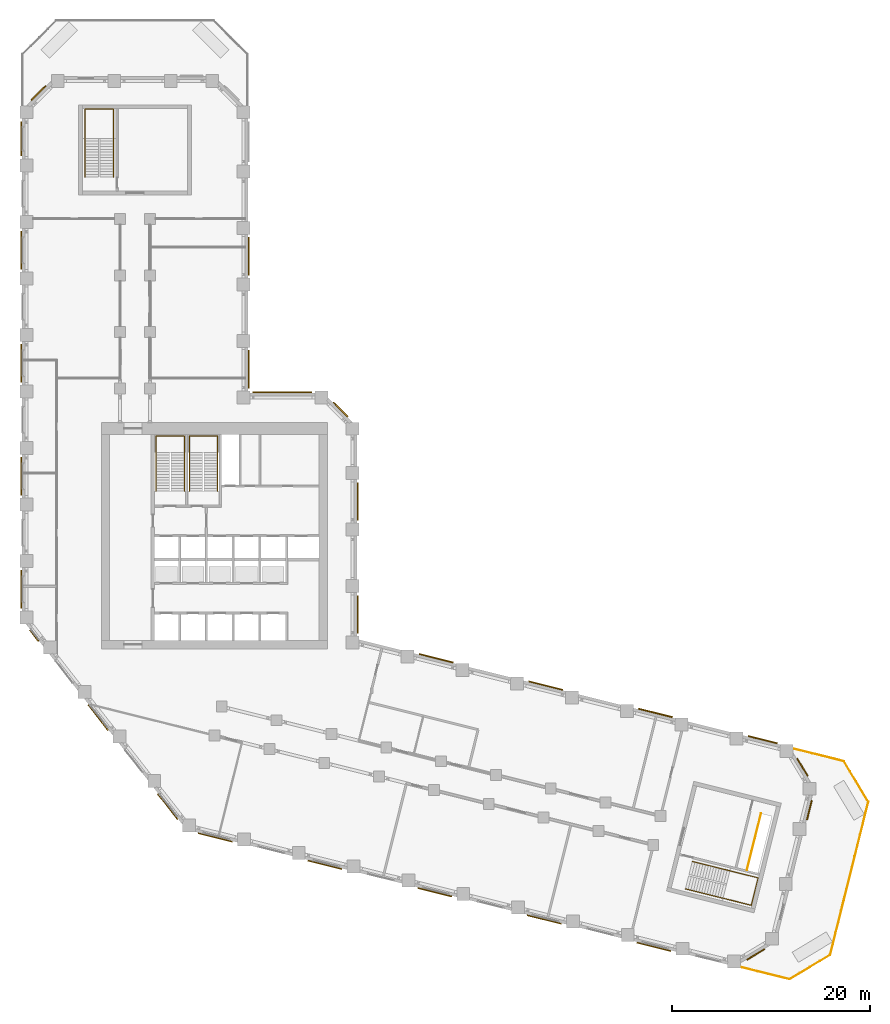
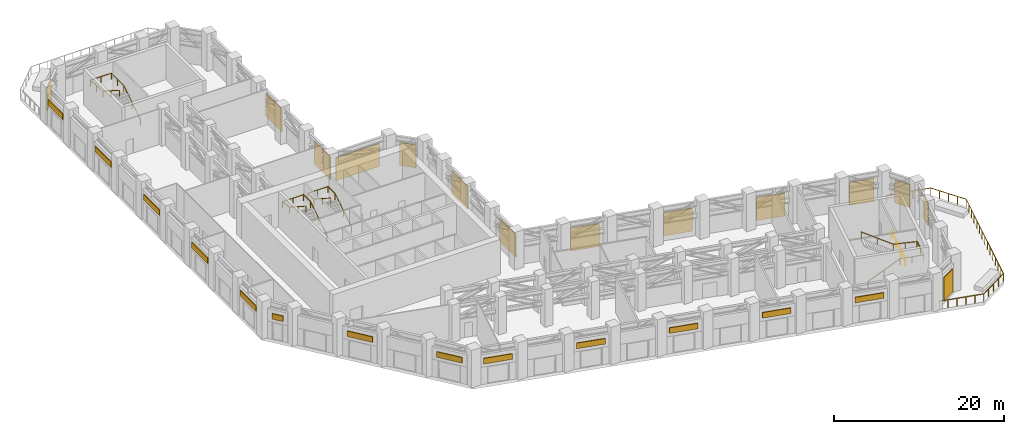
# One storey, part 19 of 21: 27 shading devices, 6 railings.
"""IFC4 building model written with IfcOpenShell, lengths in metres."""

from ifc_helpers import new_model, si_unit, direction, frame, origin, origin_2d, place, context, subcontext, project, spatial, rectangle, circle, extrude, material, layer, layer_set, type_object, element, save


model = new_model("IFC4")

# Units and contexts
model_context = context("Model", 3, precision=1e-05, world=origin(), true_north=direction((0.0, 1.0)))
body_context = subcontext(model_context, "Body", "Model", "MODEL_VIEW")
ifc_project = project(units=[si_unit("LENGTHUNIT", "METRE"), si_unit("AREAUNIT", "SQUARE_METRE"), si_unit("VOLUMEUNIT", "CUBIC_METRE"), si_unit("PLANEANGLEUNIT", "RADIAN"), si_unit("MASSUNIT", "GRAM", prefix="KILO")], contexts=[model_context])

# Site, building, storey
site_placement = place(None, origin())
site = spatial("IfcSite", under=ifc_project, at=site_placement, CompositionType="ELEMENT")
building_placement = place(site_placement, origin())
building = spatial("IfcBuilding", under=site, at=building_placement, Name="Meshkara Civic Tower", CompositionType="ELEMENT")
storey_placement = place(building_placement, frame((0.0, 0.0, 156.0)))
storey = spatial("IfcBuildingStorey", under=building, at=storey_placement, Name="L35", CompositionType="ELEMENT", Elevation=156.0)

# Shading devices
ifc_material_1 = material(Name="Bronze anodised aluminium louvre blades", Category="aluminium")
ifc_layer = layer(ifc_material_1, 0.1201171875)
ifc_layer_set = layer_set([ifc_layer], Name="PLANT LOUVRE BANK")
shading_device_type = type_object("IfcShadingDeviceType", Name="PLANT LOUVRE BANK", PredefinedType="USERDEFINED", material=ifc_layer_set)
shading_device_1_placement = place(storey_placement, frame((74.718017578125, 4.929931640625, 0.5), z_axis=(0.0, 0.0, 1.0), x_axis=(-0.970291503795, 0.241938830418, 0.0)))
element("IfcShadingDevice", 1, at=shading_device_1_placement, inside=storey, type_object=shading_device_type, Name="Louvre bank", ObjectType="LOUVRE", PredefinedType="USERDEFINED", context=body_context, shape_type="SweptSolid", body=[
    extrude(rectangle(XDim=3.0390625, YDim=0.1201171875, at=origin_2d()), origin(), (0.0, 0.0, 1.0), 3.300048828125),
])
for number, where, z_axis, x_axis, name in (
    (2, (63.89208984375, 7.6298828125, 0.5), (0.0, 0.0, 1.0), (-0.970291503795, 0.241938830418, 0.0), "Louvre bank"),
    (3, (52.8310546875, 10.387939453125, 0.5), (0.0, 0.0, 1.0), (-0.970291503795, 0.241938830418, 0.0), "Louvre bank"),
):
    element("IfcShadingDevice", number, at=place(storey_placement, frame(where, z_axis=z_axis, x_axis=x_axis)), inside=storey, type_object=shading_device_type, Name=name, ObjectType="LOUVRE", PredefinedType="USERDEFINED", context=body_context, shape_type="SweptSolid", body=[
        extrude(rectangle(XDim=3.52392578125, YDim=0.1201171875, at=origin_2d()), origin(), (0.0, 0.0, 1.0), 3.300048828125),
    ])
shading_device_2_placement = place(storey_placement, frame((41.76904296875, 13.14599609375, 0.5), z_axis=(0.0, 0.0, 1.0), x_axis=(-0.970291503795, 0.241938830418, 0.0)))
element("IfcShadingDevice", 4, at=shading_device_2_placement, inside=storey, type_object=shading_device_type, Name="Louvre bank", ObjectType="LOUVRE", PredefinedType="USERDEFINED", context=body_context, shape_type="SweptSolid", body=[
    extrude(rectangle(XDim=3.52294921875, YDim=0.1201171875, at=origin_2d()), origin(), (0.0, 0.0, 1.0), 3.300048828125),
])
for number, where, z_axis, x_axis, name in (
    (5, (33.860107421875, 17.569091796875, 0.5), (0.0, 0.0, 1.0), (0.0, 1.0, 0.0), "Louvre bank"),
    (6, (33.860107421875, 28.968994140625, 0.5), (0.0, 0.0, 1.0), (0.0, 1.0, 0.0), "Louvre bank"),
):
    element("IfcShadingDevice", number, at=place(storey_placement, frame(where, z_axis=z_axis, x_axis=x_axis)), inside=storey, type_object=shading_device_type, Name=name, ObjectType="LOUVRE", PredefinedType="USERDEFINED", context=body_context, shape_type="SweptSolid", body=[
        extrude(rectangle(XDim=3.800048828125, YDim=0.1201171875, at=origin_2d()), origin(), (0.0, 0.0, 1.0), 3.300048828125),
    ])
shading_device_3_placement = place(storey_placement, frame((32.132080078125, 38.23193359375, 0.5), z_axis=(0.0, 0.0, 1.0), x_axis=(-0.707106781187, 0.707106781187, 0.0)))
element("IfcShadingDevice", 7, at=shading_device_3_placement, inside=storey, type_object=shading_device_type, Name="Louvre bank", ObjectType="LOUVRE", PredefinedType="USERDEFINED", context=body_context, shape_type="SweptSolid", body=[
    extrude(rectangle(XDim=2.02490234375, YDim=0.1201171875, at=origin_2d()), origin(), (0.0, 0.0, 1.0), 3.300048828125),
])
shading_device_4_placement = place(storey_placement, frame((26.27197265625, 39.9599609375, 0.5), z_axis=(0.0, 0.0, 1.0), x_axis=(-1.0, 0.0, 0.0)))
element("IfcShadingDevice", 8, at=shading_device_4_placement, inside=storey, type_object=shading_device_type, Name="Louvre bank", ObjectType="LOUVRE", PredefinedType="USERDEFINED", context=body_context, shape_type="SweptSolid", body=[
    extrude(rectangle(XDim=5.944091796875, YDim=0.1201171875, at=origin_2d()), origin(), (0.0, 0.0, 1.0), 3.300048828125),
])
for number, where, z_axis, x_axis, name in (
    (9, (22.860107421875, 42.300048828125, 0.5), (0.0, 0.0, 1.0), (0.0, 1.0, 0.0), "Louvre bank"),
    (10, (22.860107421875, 53.699951171875, 0.5), (0.0, 0.0, 1.0), (0.0, 1.0, 0.0), "Louvre bank"),
):
    element("IfcShadingDevice", number, at=place(storey_placement, frame(where, z_axis=z_axis, x_axis=x_axis)), inside=storey, type_object=shading_device_type, Name=name, ObjectType="LOUVRE", PredefinedType="USERDEFINED", context=body_context, shape_type="SweptSolid", body=[
        extrude(rectangle(XDim=3.800048828125, YDim=0.1201171875, at=origin_2d()), origin(), (0.0, 0.0, 1.0), 3.300048828125),
    ])
shading_device_5_placement = place(storey_placement, frame((1.66796875, 70.152099609375, 0.5), z_axis=(0.0, 0.0, 1.0), x_axis=(-0.707106781187, -0.707106781187, 0.0)))
element("IfcShadingDevice", 11, at=shading_device_5_placement, inside=storey, type_object=shading_device_type, Name="Louvre bank", ObjectType="LOUVRE", PredefinedType="USERDEFINED", context=body_context, shape_type="SweptSolid", body=[
    extrude(rectangle(XDim=2.02490234375, YDim=0.1201171875, at=origin_2d()), origin(), (0.0, 0.0, 1.0), 3.300048828125),
])
shading_device_6_placement = place(storey_placement, frame((-0.06005859375, 65.533935546875, 3.0), z_axis=(0.0, 0.0, 1.0), x_axis=(0.0, -1.0, 0.0)))
element("IfcShadingDevice", 12, at=shading_device_6_placement, inside=storey, type_object=shading_device_type, Name="Louvre bank", ObjectType="LOUVRE", PredefinedType="USERDEFINED", context=body_context, shape_type="SweptSolid", body=[
    extrude(rectangle(XDim=3.458984375, YDim=0.1201171875, at=origin_2d()), origin(), (0.0, 0.0, 1.0), 0.800048828125),
])
for number, where, z_axis, x_axis, name in (
    (13, (-0.06005859375, 54.304931640625, 3.0), (0.0, 0.0, 1.0), (0.0, -1.0, 0.0), "Louvre bank"),
    (14, (-0.06005859375, 42.905029296875, 3.0), (0.0, 0.0, 1.0), (0.0, -1.0, 0.0), "Louvre bank"),
    (15, (-0.06005859375, 31.5048828125, 3.0), (0.0, 0.0, 1.0), (0.0, -1.0, 0.0), "Louvre bank"),
    (16, (-0.06005859375, 20.10498046875, 3.0), (0.0, 0.0, 1.0), (0.0, -1.0, 0.0), "Louvre bank"),
):
    element("IfcShadingDevice", number, at=place(storey_placement, frame(where, z_axis=z_axis, x_axis=x_axis)), inside=storey, type_object=shading_device_type, Name=name, ObjectType="LOUVRE", PredefinedType="USERDEFINED", context=body_context, shape_type="SweptSolid", body=[
        extrude(rectangle(XDim=3.800048828125, YDim=0.1201171875, at=origin_2d()), origin(), (0.0, 0.0, 1.0), 0.800048828125),
    ])
shading_device_7_placement = place(storey_placement, frame((1.22998046875, 15.427978515625, 3.0), z_axis=(0.0, 0.0, 1.0), x_axis=(0.615661475326, -0.788010753607, 0.0)))
element("IfcShadingDevice", 17, at=shading_device_7_placement, inside=storey, type_object=shading_device_type, Name="Louvre bank", ObjectType="LOUVRE", PredefinedType="USERDEFINED", context=body_context, shape_type="SweptSolid", body=[
    extrude(rectangle(XDim=1.4150390625, YDim=0.1201171875, at=origin_2d()), origin(), (0.0, 0.0, 1.0), 0.800048828125),
])
shading_device_8_placement = place(storey_placement, frame((7.676025390625, 7.177001953125, 3.0), z_axis=(0.0, 0.0, 1.0), x_axis=(0.615661475326, -0.788010753607, 0.0)))
element("IfcShadingDevice", 18, at=shading_device_8_placement, inside=storey, type_object=shading_device_type, Name="Louvre bank", ObjectType="LOUVRE", PredefinedType="USERDEFINED", context=body_context, shape_type="SweptSolid", body=[
    extrude(rectangle(XDim=3.27587890625, YDim=0.1201171875, at=origin_2d()), origin(), (0.0, 0.0, 1.0), 0.800048828125),
])
shading_device_9_placement = place(storey_placement, frame((14.695068359375, -1.805908203125, 3.0), z_axis=(0.0, 0.0, 1.0), x_axis=(0.615661475326, -0.788010753607, 0.0)))
element("IfcShadingDevice", 19, at=shading_device_9_placement, inside=storey, type_object=shading_device_type, Name="Louvre bank", ObjectType="LOUVRE", PredefinedType="USERDEFINED", context=body_context, shape_type="SweptSolid", body=[
    extrude(rectangle(XDim=3.27490234375, YDim=0.1201171875, at=origin_2d()), origin(), (0.0, 0.0, 1.0), 0.800048828125),
])
for number, where, z_axis, x_axis, name in (
    (20, (19.492919921875, -4.922119140625, 3.0), (0.0, 0.0, 1.0), (0.970299948462, -0.241904960708, 0.0), "Louvre bank"),
    (21, (30.553955078125, -7.679931640625, 3.0), (0.0, 0.0, 1.0), (0.970299948462, -0.241904960708, 0.0), "Louvre bank"),
    (22, (41.615966796875, -10.43798828125, 3.0), (0.0, 0.0, 1.0), (0.970299948462, -0.241904960708, 0.0), "Louvre bank"),
    (23, (52.677001953125, -13.195068359375, 3.0), (0.0, 0.0, 1.0), (0.970299948462, -0.241904960708, 0.0), "Louvre bank"),
):
    element("IfcShadingDevice", number, at=place(storey_placement, frame(where, z_axis=z_axis, x_axis=x_axis)), inside=storey, type_object=shading_device_type, Name=name, ObjectType="LOUVRE", PredefinedType="USERDEFINED", context=body_context, shape_type="SweptSolid", body=[
        extrude(rectangle(XDim=3.52392578125, YDim=0.1201171875, at=origin_2d()), origin(), (0.0, 0.0, 1.0), 0.800048828125),
    ])
shading_device_10_placement = place(storey_placement, frame((63.739013671875, -15.952880859375, 3.0), z_axis=(0.0, 0.0, 1.0), x_axis=(0.970299948462, -0.241904960708, 0.0)))
element("IfcShadingDevice", 24, at=shading_device_10_placement, inside=storey, type_object=shading_device_type, Name="Louvre bank", ObjectType="LOUVRE", PredefinedType="USERDEFINED", context=body_context, shape_type="SweptSolid", body=[
    extrude(rectangle(XDim=3.52294921875, YDim=0.1201171875, at=origin_2d()), origin(), (0.0, 0.0, 1.0), 0.800048828125),
])
shading_device_11_placement = place(storey_placement, frame((74.0029296875, -16.73193359375, 0.5), z_axis=(0.0, 0.0, 1.0), x_axis=(0.8571852784, 0.515008153813, 0.0)))
element("IfcShadingDevice", 25, at=shading_device_11_placement, inside=storey, type_object=shading_device_type, Name="Louvre bank", ObjectType="LOUVRE", PredefinedType="USERDEFINED", context=body_context, shape_type="SweptSolid", body=[
    extrude(rectangle(XDim=2.080078125, YDim=0.1201171875, at=origin_2d()), origin(), (0.0, 0.0, 1.0), 3.300048828125),
])
shading_device_12_placement = place(storey_placement, frame((79.4130859375, -2.176025390625, 0.5), z_axis=(0.0, 0.0, 1.0), x_axis=(0.2419218956, 0.970295726276, 0.0)))
element("IfcShadingDevice", 26, at=shading_device_12_placement, inside=storey, type_object=shading_device_type, Name="Louvre bank", ObjectType="LOUVRE", PredefinedType="USERDEFINED", context=body_context, shape_type="SweptSolid", body=[
    extrude(rectangle(XDim=2.011962890625, YDim=0.1201171875, at=origin_2d()), origin(), (0.0, 0.0, 1.0), 3.300048828125),
])
shading_device_13_placement = place(storey_placement, frame((78.7119140625, 2.154052734375, 0.5), z_axis=(0.0, 0.0, 1.0), x_axis=(-0.515097915221, 0.857131342173, 0.0)))
element("IfcShadingDevice", 27, at=shading_device_13_placement, inside=storey, type_object=shading_device_type, Name="Louvre bank", ObjectType="LOUVRE", PredefinedType="USERDEFINED", context=body_context, shape_type="SweptSolid", body=[
    extrude(rectangle(XDim=2.0791015625, YDim=0.1201171875, at=origin_2d()), origin(), (0.0, 0.0, 1.0), 3.300048828125),
])

# Railings
ifc_material_2 = material(Name="Steel guard", Category="steel")
railing_type_1 = type_object("IfcRailingType", Name="Stair guard 1100", PredefinedType="GUARDRAIL", material=ifc_material_2)
railing_1_placement = place(storey_placement, frame((73.110107421875, -8.23095703125, 0.0)))
element("IfcRailing", 28, at=railing_1_placement, inside=storey, type_object=railing_type_1, Name="L35 ESBT well guard", PredefinedType="GUARDRAIL", context=body_context, shape_type="SweptSolid", body=[
    extrude(circle(Radius=0.02392578125, at=origin_2d()), frame((0.0, 0.0, 1.076171875), z_axis=(0.241988476989, 0.970279123245, 0.0), x_axis=(-0.970279123245, 0.241988476989, 0.0)), (0.0, 0.0, 1.0), 5.8798828125),
    extrude(circle(Radius=0.02099609375, at=origin_2d()), origin(), (0.0, 0.0, 1.0), 1.052001953125),
    extrude(circle(Radius=0.02099609375, at=origin_2d()), frame((0.474365234375, 1.901611328125, 0.0)), (0.0, 0.0, 1.0), 1.052001953125),
    extrude(circle(Radius=0.02099609375, at=origin_2d()), frame((0.948486328125, 3.803466796875, 0.0)), (0.0, 0.0, 1.0), 1.052001953125),
    extrude(circle(Radius=0.02099609375, at=origin_2d()), frame((1.4228515625, 5.705078125, 0.0)), (0.0, 0.0, 1.0), 1.052001953125),
])
ifc_material_3 = material(Name="Steel handrail", Category="steel")
railing_type_2 = type_object("IfcRailingType", Name="Stair handrail 900", PredefinedType="HANDRAIL", material=ifc_material_3)
railing_2_placement = place(storey_placement, frame((16.375, 30.0, 0.179931640625)))
element("IfcRailing", 29, at=railing_2_placement, inside=storey, type_object=railing_type_2, Name="L35 ST1 stair handrail 1", PredefinedType="HANDRAIL", context=body_context, shape_type="SweptSolid", body=[
    extrude(circle(Radius=0.02392578125, at=origin_2d()), frame((0.0, 0.0, 0.8759765625), z_axis=(0.0, 0.841171666519, 0.540768182723), x_axis=(-1.0, 0.0, 0.0)), (0.0, 0.0, 1.0), 4.66015625),
    extrude(circle(Radius=0.02392578125, at=origin_2d()), frame((0.0, 3.919921875, 3.39599609375), z_axis=(0.0, 1.0, 0.0), x_axis=(-1.0, 0.0, 0.0)), (0.0, 0.0, 1.0), 1.630126953125),
    extrude(circle(Radius=0.02392578125, at=origin_2d()), frame((0.0, 5.550048828125, 3.39599609375), z_axis=(-1.0, 0.0, 0.0), x_axis=(0.0, -1.0, 0.0)), (0.0, 0.0, 1.0), 2.85009765625),
    extrude(circle(Radius=0.02392578125, at=origin_2d()), frame((-2.85009765625, 5.550048828125, 3.39599609375), z_axis=(0.0, -0.99396335279, 0.10971259413), x_axis=(1.0, 0.0, 0.0)), (0.0, 0.0, 1.0), 1.64013671875),
    extrude(circle(Radius=0.02392578125, at=origin_2d()), frame((-2.85009765625, 3.919921875, 3.57568359375), z_axis=(0.0, -0.841171666519, 0.540768182723), x_axis=(1.0, 0.0, 0.0)), (0.0, 0.0, 1.0), 4.66015625),
    extrude(circle(Radius=0.02099609375, at=origin_2d()), origin(), (0.0, 0.0, 1.0), 0.851806640625),
    extrude(circle(Radius=0.02099609375, at=origin_2d()), frame((0.0, 1.9599609375, 1.260009765625)), (0.0, 0.0, 1.0), 0.851806640625),
    extrude(circle(Radius=0.02099609375, at=origin_2d()), frame((0.0, 3.919921875, 2.52001953125)), (0.0, 0.0, 1.0), 0.851806640625),
    extrude(circle(Radius=0.02099609375, at=origin_2d()), frame((0.0, 5.550048828125, 2.52001953125)), (0.0, 0.0, 1.0), 0.851806640625),
    extrude(circle(Radius=0.02099609375, at=origin_2d()), frame((-1.425048828125, 5.550048828125, 2.52001953125)), (0.0, 0.0, 1.0), 0.851806640625),
    extrude(circle(Radius=0.02099609375, at=origin_2d()), frame((-2.85009765625, 5.550048828125, 2.52001953125)), (0.0, 0.0, 1.0), 0.851806640625),
    extrude(circle(Radius=0.02099609375, at=origin_2d()), frame((-2.85009765625, 3.919921875, 2.699951171875)), (0.0, 0.0, 1.0), 0.851806640625),
    extrude(circle(Radius=0.02099609375, at=origin_2d()), frame((-2.85009765625, 1.9599609375, 3.9599609375)), (0.0, 0.0, 1.0), 0.851806640625),
    extrude(circle(Radius=0.02099609375, at=origin_2d()), frame((-2.85009765625, 0.0, 5.219970703125)), (0.0, 0.0, 1.0), 0.851806640625),
])
railing_3_placement = place(storey_placement, frame((19.72509765625, 30.0, 0.179931640625)))
element("IfcRailing", 30, at=railing_3_placement, inside=storey, type_object=railing_type_2, Name="L35 ST2 stair handrail 1", PredefinedType="HANDRAIL", context=body_context, shape_type="SweptSolid", body=[
    extrude(circle(Radius=0.02392578125, at=origin_2d()), frame((0.0, 0.0, 0.8759765625), z_axis=(0.0, 0.841171666519, 0.540768182723), x_axis=(-1.0, 0.0, 0.0)), (0.0, 0.0, 1.0), 4.66015625),
    extrude(circle(Radius=0.02392578125, at=origin_2d()), frame((0.0, 3.919921875, 3.39599609375), z_axis=(0.0, 1.0, 0.0), x_axis=(-1.0, 0.0, 0.0)), (0.0, 0.0, 1.0), 1.630126953125),
    extrude(circle(Radius=0.02392578125, at=origin_2d()), frame((0.0, 5.550048828125, 3.39599609375), z_axis=(-1.0, 0.0, 0.0), x_axis=(0.0, -1.0, 0.0)), (0.0, 0.0, 1.0), 2.85009765625),
    extrude(circle(Radius=0.02392578125, at=origin_2d()), frame((-2.85009765625, 5.550048828125, 3.39599609375), z_axis=(0.0, -0.99396335279, 0.10971259413), x_axis=(1.0, 0.0, 0.0)), (0.0, 0.0, 1.0), 1.64013671875),
    extrude(circle(Radius=0.02392578125, at=origin_2d()), frame((-2.85009765625, 3.919921875, 3.57568359375), z_axis=(0.0, -0.841171666519, 0.540768182723), x_axis=(1.0, 0.0, 0.0)), (0.0, 0.0, 1.0), 4.66015625),
    extrude(circle(Radius=0.02099609375, at=origin_2d()), origin(), (0.0, 0.0, 1.0), 0.851806640625),
    extrude(circle(Radius=0.02099609375, at=origin_2d()), frame((0.0, 1.9599609375, 1.260009765625)), (0.0, 0.0, 1.0), 0.851806640625),
    extrude(circle(Radius=0.02099609375, at=origin_2d()), frame((0.0, 3.919921875, 2.52001953125)), (0.0, 0.0, 1.0), 0.851806640625),
    extrude(circle(Radius=0.02099609375, at=origin_2d()), frame((0.0, 5.550048828125, 2.52001953125)), (0.0, 0.0, 1.0), 0.851806640625),
    extrude(circle(Radius=0.02099609375, at=origin_2d()), frame((-1.425048828125, 5.550048828125, 2.52001953125)), (0.0, 0.0, 1.0), 0.851806640625),
    extrude(circle(Radius=0.02099609375, at=origin_2d()), frame((-2.85009765625, 5.550048828125, 2.52001953125)), (0.0, 0.0, 1.0), 0.851806640625),
    extrude(circle(Radius=0.02099609375, at=origin_2d()), frame((-2.85009765625, 3.919921875, 2.699951171875)), (0.0, 0.0, 1.0), 0.851806640625),
    extrude(circle(Radius=0.02099609375, at=origin_2d()), frame((-2.85009765625, 1.9599609375, 3.9599609375)), (0.0, 0.0, 1.0), 0.851806640625),
    extrude(circle(Radius=0.02099609375, at=origin_2d()), frame((-2.85009765625, 0.0, 5.219970703125)), (0.0, 0.0, 1.0), 0.851806640625),
])
railing_4_placement = place(storey_placement, frame((9.22509765625, 61.669921875, 0.179931640625)))
element("IfcRailing", 31, at=railing_4_placement, inside=storey, type_object=railing_type_2, Name="L35 ESA3 stair handrail 1", PredefinedType="HANDRAIL", context=body_context, shape_type="SweptSolid", body=[
    extrude(circle(Radius=0.02392578125, at=origin_2d()), frame((0.0, 0.0, 0.8759765625), z_axis=(0.0, 0.841186985886, 0.540744352514), x_axis=(-1.0, 0.0, 0.0)), (0.0, 0.0, 1.0), 4.660400390625),
    extrude(circle(Radius=0.02392578125, at=origin_2d()), frame((0.0, 3.920166015625, 3.39599609375), z_axis=(0.0, 1.0, 0.0), x_axis=(-1.0, 0.0, 0.0)), (0.0, 0.0, 1.0), 2.929931640625),
    extrude(circle(Radius=0.02392578125, at=origin_2d()), frame((0.0, 6.85009765625, 3.39599609375), z_axis=(-1.0, 0.0, 0.0), x_axis=(0.0, -1.0, 0.0)), (0.0, 0.0, 1.0), 2.85009765625),
    extrude(circle(Radius=0.02392578125, at=origin_2d()), frame((-2.85009765625, 6.85009765625, 3.39599609375), z_axis=(0.0, -0.99811962785, 0.061296072471), x_axis=(1.0, 0.0, 0.0)), (0.0, 0.0, 1.0), 2.935546875),
    extrude(circle(Radius=0.02392578125, at=origin_2d()), frame((-2.85009765625, 3.920166015625, 3.57568359375), z_axis=(0.0, -0.841186985886, 0.540744352514), x_axis=(1.0, 0.0, 0.0)), (0.0, 0.0, 1.0), 4.660400390625),
    extrude(circle(Radius=0.02099609375, at=origin_2d()), origin(), (0.0, 0.0, 1.0), 0.851806640625),
    extrude(circle(Radius=0.02099609375, at=origin_2d()), frame((0.0, 1.9599609375, 1.260009765625)), (0.0, 0.0, 1.0), 0.851806640625),
    extrude(circle(Radius=0.02099609375, at=origin_2d()), frame((0.0, 3.920166015625, 2.52001953125)), (0.0, 0.0, 1.0), 0.851806640625),
    extrude(circle(Radius=0.02099609375, at=origin_2d()), frame((0.0, 5.38525390625, 2.52001953125)), (0.0, 0.0, 1.0), 0.851806640625),
    extrude(circle(Radius=0.02099609375, at=origin_2d()), frame((0.0, 6.85009765625, 2.52001953125)), (0.0, 0.0, 1.0), 0.851806640625),
    extrude(circle(Radius=0.02099609375, at=origin_2d()), frame((-1.425048828125, 6.85009765625, 2.52001953125)), (0.0, 0.0, 1.0), 0.851806640625),
    extrude(circle(Radius=0.02099609375, at=origin_2d()), frame((-2.85009765625, 6.85009765625, 2.52001953125)), (0.0, 0.0, 1.0), 0.851806640625),
    extrude(circle(Radius=0.02099609375, at=origin_2d()), frame((-2.85009765625, 5.38525390625, 2.60986328125)), (0.0, 0.0, 1.0), 0.851806640625),
    extrude(circle(Radius=0.02099609375, at=origin_2d()), frame((-2.85009765625, 3.920166015625, 2.699951171875)), (0.0, 0.0, 1.0), 0.851806640625),
    extrude(circle(Radius=0.02099609375, at=origin_2d()), frame((-2.85009765625, 1.9599609375, 3.9599609375)), (0.0, 0.0, 1.0), 0.851806640625),
    extrude(circle(Radius=0.02099609375, at=origin_2d()), frame((-2.85009765625, 0.0, 5.219970703125)), (0.0, 0.0, 1.0), 0.851806640625),
])
railing_5_placement = place(storey_placement, frame((66.910888671875, -10.1123046875, 0.179931640625)))
element("IfcRailing", 32, at=railing_5_placement, inside=storey, type_object=railing_type_2, Name="L35 ESB3 stair handrail 1", PredefinedType="HANDRAIL", context=body_context, shape_type="SweptSolid", body=[
    extrude(circle(Radius=0.02392578125, at=origin_2d()), frame((0.0, 0.0, 0.8759765625), z_axis=(0.816212861428, -0.203424553333, 0.540754117822), x_axis=(0.241832166762, 0.970318093781, 0.0)), (0.0, 0.0, 1.0), 4.66015625),
    extrude(circle(Radius=0.02392578125, at=origin_2d()), frame((3.8037109375, -0.947998046875, 3.39599609375), z_axis=(0.970323584082, -0.241810136626, 0.0), x_axis=(0.241810136626, 0.970323584082, 0.0)), (0.0, 0.0, 1.0), 2.929931640625),
    extrude(circle(Radius=0.02392578125, at=origin_2d()), frame((6.646728515625, -1.656494140625, 3.39599609375), z_axis=(0.24183009087, 0.970318611153, 0.0), x_axis=(-0.970318611153, 0.24183009087, 0.0)), (0.0, 0.0, 1.0), 2.849853515625),
    extrude(circle(Radius=0.02392578125, at=origin_2d()), frame((7.3359375, 1.10888671875, 3.39599609375), z_axis=(-0.968499060468, 0.241355455, 0.061295303355), x_axis=(-0.241810136626, -0.970323584082, 0.0)), (0.0, 0.0, 1.0), 2.935546875),
    extrude(circle(Radius=0.02392578125, at=origin_2d()), frame((4.492919921875, 1.8173828125, 3.57568359375), z_axis=(-0.816212861428, 0.203424553333, 0.540754117822), x_axis=(-0.241832166762, -0.970318093781, 0.0)), (0.0, 0.0, 1.0), 4.66015625),
    extrude(circle(Radius=0.02099609375, at=origin_2d()), origin(), (0.0, 0.0, 1.0), 0.851806640625),
    extrude(circle(Radius=0.02099609375, at=origin_2d()), frame((1.90185546875, -0.47412109375, 1.260009765625)), (0.0, 0.0, 1.0), 0.851806640625),
    extrude(circle(Radius=0.02099609375, at=origin_2d()), frame((3.8037109375, -0.947998046875, 2.52001953125)), (0.0, 0.0, 1.0), 0.851806640625),
    extrude(circle(Radius=0.02099609375, at=origin_2d()), frame((5.22509765625, -1.30224609375, 2.52001953125)), (0.0, 0.0, 1.0), 0.851806640625),
    extrude(circle(Radius=0.02099609375, at=origin_2d()), frame((6.646728515625, -1.656494140625, 2.52001953125)), (0.0, 0.0, 1.0), 0.851806640625),
    extrude(circle(Radius=0.02099609375, at=origin_2d()), frame((6.9912109375, -0.27392578125, 2.52001953125)), (0.0, 0.0, 1.0), 0.851806640625),
    extrude(circle(Radius=0.02099609375, at=origin_2d()), frame((7.3359375, 1.10888671875, 2.52001953125)), (0.0, 0.0, 1.0), 0.851806640625),
    extrude(circle(Radius=0.02099609375, at=origin_2d()), frame((5.91455078125, 1.463134765625, 2.60986328125)), (0.0, 0.0, 1.0), 0.851806640625),
    extrude(circle(Radius=0.02099609375, at=origin_2d()), frame((4.492919921875, 1.8173828125, 2.699951171875)), (0.0, 0.0, 1.0), 0.851806640625),
    extrude(circle(Radius=0.02099609375, at=origin_2d()), frame((2.591064453125, 2.29150390625, 3.9599609375)), (0.0, 0.0, 1.0), 0.851806640625),
    extrude(circle(Radius=0.02099609375, at=origin_2d()), frame((0.689208984375, 2.765380859375, 5.219970703125)), (0.0, 0.0, 1.0), 0.851806640625),
])
ifc_material_4 = material(Name="Steel S355", Category="steel")
railing_type_3 = type_object("IfcRailingType", Name="TERRACE BALUSTRADE 1150", PredefinedType="BALUSTRADE", material=ifc_material_4)
railing_6_placement = place(storey_placement, frame((77.60302734375, 4.076904296875, 0.0)))
element("IfcRailing", 33, at=railing_6_placement, inside=storey, type_object=railing_type_3, Name="Terrace guard", PredefinedType="BALUSTRADE", context=body_context, shape_type="SweptSolid", body=[
    extrude(circle(Radius=0.02392578125, at=origin_2d()), frame((0.0, 0.0, 1.1259765625), z_axis=(0.970289640878, -0.241946301491, 0.0), x_axis=(0.241946301491, 0.970289640878, 0.0)), (0.0, 0.0, 1.0), 5.458984375),
    extrude(circle(Radius=0.02392578125, at=origin_2d()), frame((5.296875, -1.32080078125, 1.1259765625), z_axis=(0.515119315968, -0.857118480909, 0.0), x_axis=(0.857118480909, 0.515119315968, 0.0)), (0.0, 0.0, 1.0), 4.77783203125),
    extrude(circle(Radius=0.02392578125, at=origin_2d()), frame((7.758056640625, -5.416015625, 1.1259765625), z_axis=(-0.241925088376, -0.970294930222, 0.0), x_axis=(0.970294930222, -0.241925088376, 0.0)), (0.0, 0.0, 1.0), 15.90234375),
    extrude(circle(Radius=0.02392578125, at=origin_2d()), frame((3.910888671875, -20.845947265625, 1.1259765625), z_axis=(-0.85712748337, -0.515104336277, 0.0), x_axis=(0.515104336277, -0.85712748337, 0.0)), (0.0, 0.0, 1.0), 4.777587890625),
    extrude(circle(Radius=0.02392578125, at=origin_2d()), frame((-0.18408203125, -23.306884765625, 1.1259765625), z_axis=(-0.970289613784, 0.241946410147, 0.0), x_axis=(-0.241946410147, -0.970289613784, 0.0)), (0.0, 0.0, 1.0), 5.4599609375),
    extrude(circle(Radius=0.02099609375, at=origin_2d()), origin(), (0.0, 0.0, 1.0), 1.101806640625),
    extrude(circle(Radius=0.02099609375, at=origin_2d()), frame((1.059326171875, -0.26416015625, 0.0)), (0.0, 0.0, 1.0), 1.101806640625),
    extrude(circle(Radius=0.02099609375, at=origin_2d()), frame((2.11865234375, -0.5283203125, 0.0)), (0.0, 0.0, 1.0), 1.101806640625),
    extrude(circle(Radius=0.02099609375, at=origin_2d()), frame((3.17822265625, -0.79248046875, 0.0)), (0.0, 0.0, 1.0), 1.101806640625),
    extrude(circle(Radius=0.02099609375, at=origin_2d()), frame((4.237548828125, -1.056640625, 0.0)), (0.0, 0.0, 1.0), 1.101806640625),
    extrude(circle(Radius=0.02099609375, at=origin_2d()), frame((5.296875, -1.32080078125, 0.0)), (0.0, 0.0, 1.0), 1.101806640625),
    extrude(circle(Radius=0.02099609375, at=origin_2d()), frame((5.912109375, -2.3447265625, 0.0)), (0.0, 0.0, 1.0), 1.101806640625),
    extrude(circle(Radius=0.02099609375, at=origin_2d()), frame((6.52734375, -3.368408203125, 0.0)), (0.0, 0.0, 1.0), 1.101806640625),
    extrude(circle(Radius=0.02099609375, at=origin_2d()), frame((7.142822265625, -4.39208984375, 0.0)), (0.0, 0.0, 1.0), 1.101806640625),
    extrude(circle(Radius=0.02099609375, at=origin_2d()), frame((7.758056640625, -5.416015625, 0.0)), (0.0, 0.0, 1.0), 1.101806640625),
    extrude(circle(Radius=0.02099609375, at=origin_2d()), frame((7.483154296875, -6.51806640625, 0.0)), (0.0, 0.0, 1.0), 1.101806640625),
    extrude(circle(Radius=0.02099609375, at=origin_2d()), frame((7.20849609375, -7.620361328125, 0.0)), (0.0, 0.0, 1.0), 1.101806640625),
    extrude(circle(Radius=0.02099609375, at=origin_2d()), frame((6.93359375, -8.722412109375, 0.0)), (0.0, 0.0, 1.0), 1.101806640625),
    extrude(circle(Radius=0.02099609375, at=origin_2d()), frame((6.658935546875, -9.824462890625, 0.0)), (0.0, 0.0, 1.0), 1.101806640625),
    extrude(circle(Radius=0.02099609375, at=origin_2d()), frame((6.384033203125, -10.9267578125, 0.0)), (0.0, 0.0, 1.0), 1.101806640625),
    extrude(circle(Radius=0.02099609375, at=origin_2d()), frame((6.109375, -12.02880859375, 0.0)), (0.0, 0.0, 1.0), 1.101806640625),
    extrude(circle(Radius=0.02099609375, at=origin_2d()), frame((5.83447265625, -13.130859375, 0.0)), (0.0, 0.0, 1.0), 1.101806640625),
    extrude(circle(Radius=0.02099609375, at=origin_2d()), frame((5.5595703125, -14.233154296875, 0.0)), (0.0, 0.0, 1.0), 1.101806640625),
    extrude(circle(Radius=0.02099609375, at=origin_2d()), frame((5.284912109375, -15.335205078125, 0.0)), (0.0, 0.0, 1.0), 1.101806640625),
    extrude(circle(Radius=0.02099609375, at=origin_2d()), frame((5.010009765625, -16.4375, 0.0)), (0.0, 0.0, 1.0), 1.101806640625),
    extrude(circle(Radius=0.02099609375, at=origin_2d()), frame((4.7353515625, -17.53955078125, 0.0)), (0.0, 0.0, 1.0), 1.101806640625),
    extrude(circle(Radius=0.02099609375, at=origin_2d()), frame((4.46044921875, -18.6416015625, 0.0)), (0.0, 0.0, 1.0), 1.101806640625),
    extrude(circle(Radius=0.02099609375, at=origin_2d()), frame((4.185791015625, -19.743896484375, 0.0)), (0.0, 0.0, 1.0), 1.101806640625),
    extrude(circle(Radius=0.02099609375, at=origin_2d()), frame((3.910888671875, -20.845947265625, 0.0)), (0.0, 0.0, 1.0), 1.101806640625),
    extrude(circle(Radius=0.02099609375, at=origin_2d()), frame((2.88720703125, -21.461181640625, 0.0)), (0.0, 0.0, 1.0), 1.101806640625),
    extrude(circle(Radius=0.02099609375, at=origin_2d()), frame((1.86328125, -22.076416015625, 0.0)), (0.0, 0.0, 1.0), 1.101806640625),
    extrude(circle(Radius=0.02099609375, at=origin_2d()), frame((0.839599609375, -22.691650390625, 0.0)), (0.0, 0.0, 1.0), 1.101806640625),
    extrude(circle(Radius=0.02099609375, at=origin_2d()), frame((-0.18408203125, -23.306884765625, 0.0)), (0.0, 0.0, 1.0), 1.101806640625),
    extrude(circle(Radius=0.02099609375, at=origin_2d()), frame((-1.24365234375, -23.042724609375, 0.0)), (0.0, 0.0, 1.0), 1.101806640625),
    extrude(circle(Radius=0.02099609375, at=origin_2d()), frame((-2.30322265625, -22.778564453125, 0.0)), (0.0, 0.0, 1.0), 1.101806640625),
    extrude(circle(Radius=0.02099609375, at=origin_2d()), frame((-3.36279296875, -22.51416015625, 0.0)), (0.0, 0.0, 1.0), 1.101806640625),
    extrude(circle(Radius=0.02099609375, at=origin_2d()), frame((-4.42236328125, -22.25, 0.0)), (0.0, 0.0, 1.0), 1.101806640625),
    extrude(circle(Radius=0.02099609375, at=origin_2d()), frame((-5.48193359375, -21.98583984375, 0.0)), (0.0, 0.0, 1.0), 1.101806640625),
])

save(model, "model.ifc")
